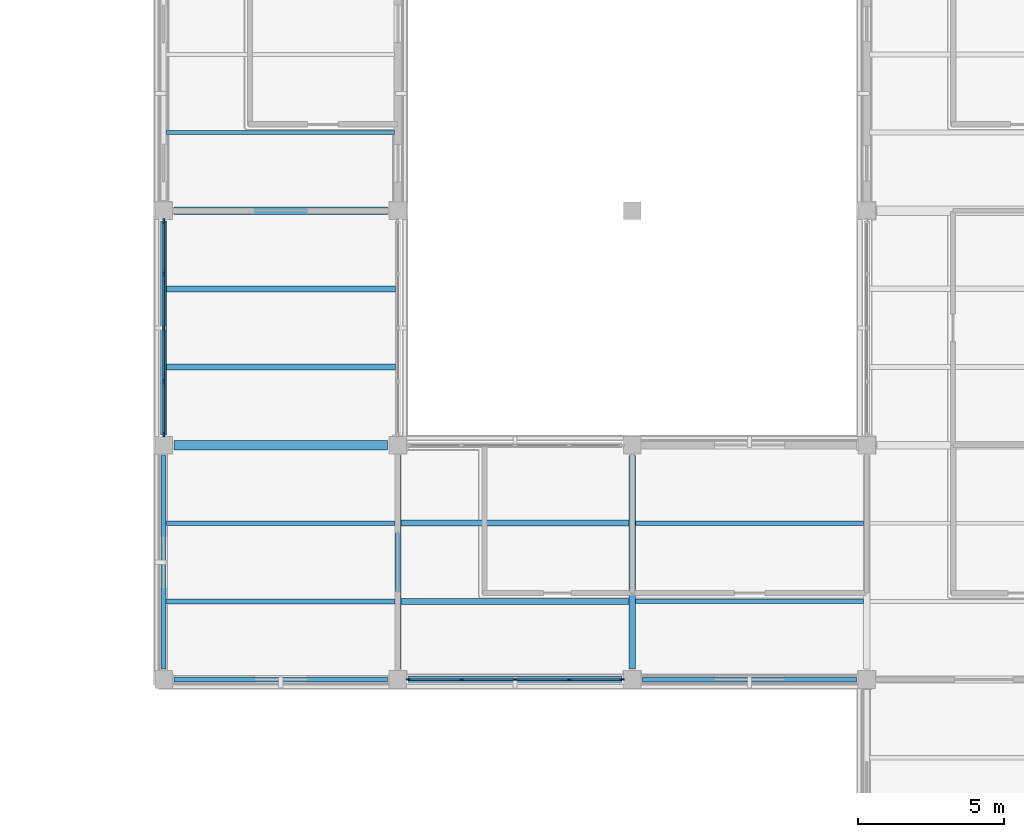
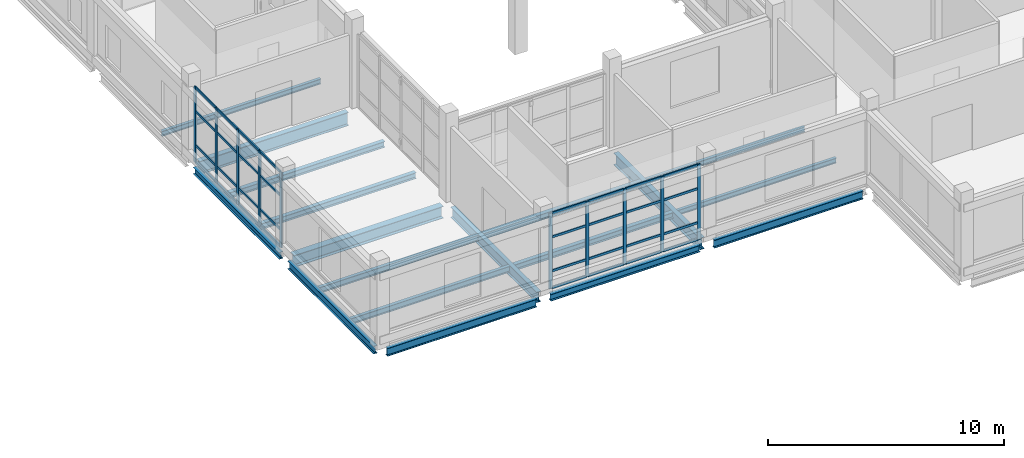
# One storey, part 42 of 121: 42 members, 18 beams, 2 elements without a shape of their own.
"""IFC4 building model written with IfcOpenShell, lengths in metres."""

from ifc_helpers import new_model, si_unit, derived_unit, direction, frame, origin, origin_2d, place, context, subcontext, project, spatial, rectangle, i_section, extrude, material, layer, layer_set, material_profile, profile_set, type_object, element, aggregate, save


model = new_model("IFC4")

# Units and contexts
model_context = context("Model", 3, precision=1e-05, world=origin(), true_north=direction((0.0, 1.0)))
body_context = subcontext(model_context, "Body", "Model", "MODEL_VIEW")
ifc_project = project(units=[si_unit("LENGTHUNIT", "METRE"), si_unit("AREAUNIT", "SQUARE_METRE"), si_unit("VOLUMEUNIT", "CUBIC_METRE"), si_unit("PLANEANGLEUNIT", "RADIAN"), si_unit("MASSUNIT", "GRAM", prefix="KILO"), derived_unit("THERMALTRANSMITTANCEUNIT", [(si_unit("MASSUNIT", "GRAM", prefix="KILO"), 1), (si_unit("TIMEUNIT", "SECOND"), -3), (si_unit("THERMODYNAMICTEMPERATUREUNIT", "KELVIN"), -1)])], contexts=[model_context])

# Site, building, storey
site_placement = place(None, origin())
site = spatial("IfcSite", under=ifc_project, at=site_placement, CompositionType="ELEMENT")
building_placement = place(site_placement, origin())
building = spatial("IfcBuilding", under=site, at=building_placement, Name="Veyamyaing Civic Hall", CompositionType="ELEMENT")
storey_placement = place(building_placement, frame((0.0, 0.0, 5.280029296875)))
storey = spatial("IfcBuildingStorey", under=building, at=storey_placement, Name="L01", CompositionType="ELEMENT", Elevation=5.280029296875)

# Beams
ifc_material_1 = material(Name="Steel ASTM A992", Category="steel")
ifc_material_profile_1 = material_profile(ifc_material_1, i_section(OverallWidth=0.256103515625, OverallDepth=0.693115234375, WebThickness=0.014404296875, FlangeThickness=0.023681640625, FilletRadius=0.013916015625, at=origin_2d()), Name="W690X170")
ifc_profile_set_1 = profile_set([ifc_material_profile_1], Name="Steel ASTM A992")
beam_type_1 = type_object("IfcBeamType", Name="B-04", PredefinedType="BEAM", material=ifc_profile_set_1)
beam_1_placement = place(storey_placement, frame((136.35009765625, 24.0, -0.591552734375), z_axis=(1.0, 0.0, 0.0), x_axis=(0.0, 1.0, 0.0)))
element("IfcBeam", 1, at=beam_1_placement, inside=storey, type_object=beam_type_1, Name="Girder B-04 L01 Grid D 18-19", PredefinedType="BEAM", context=body_context, shape_type="SweptSolid", body=[
    extrude(i_section(OverallWidth=0.256103515625, OverallDepth=0.693115234375, WebThickness=0.014404296875, FlangeThickness=0.023681640625, FilletRadius=0.013916015625, at=origin_2d()), origin(), (0.0, 0.0, 1.0), 7.2998046875),
])
ifc_material_profile_2 = material_profile(ifc_material_1, i_section(OverallWidth=0.22998046875, OverallDepth=0.616943359375, WebThickness=0.01318359375, FlangeThickness=0.022216796875, FilletRadius=0.012939453125, at=origin_2d()), Name="W610X140")
ifc_profile_set_2 = profile_set([ifc_material_profile_2], Name="Steel ASTM A992")
beam_type_2 = type_object("IfcBeamType", Name="B-05", PredefinedType="BEAM", material=ifc_profile_set_2)
beam_2_placement = place(storey_placement, frame((152.0, 8.35009765625, -0.553466796875), z_axis=(0.0, 1.0, 0.0), x_axis=(-1.0, 0.0, 0.0)))
element("IfcBeam", 2, at=beam_2_placement, inside=storey, type_object=beam_type_2, Name="Girder B-05 L01 Grid 20 B-C", PredefinedType="BEAM", context=body_context, shape_type="SweptSolid", body=[
    extrude(i_section(OverallWidth=0.22998046875, OverallDepth=0.616943359375, WebThickness=0.01318359375, FlangeThickness=0.022216796875, FilletRadius=0.012939453125, at=origin_2d()), origin(), (0.0, 0.0, 1.0), 7.2998046875),
])
ifc_material_profile_3 = material_profile(ifc_material_1, i_section(OverallWidth=0.179931640625, OverallDepth=0.4130859375, WebThickness=0.009765625, FlangeThickness=0.01611328125, FilletRadius=0.010009765625, at=origin_2d()), Name="W410X74")
ifc_profile_set_3 = profile_set([ifc_material_profile_3], Name="Steel ASTM A992")
beam_type_3 = type_object("IfcBeamType", Name="B-10", PredefinedType="SPANDREL", material=ifc_profile_set_3)
for number, where, z_axis, x_axis, name in (
    (3, (136.35009765625, 8.0, -0.451416015625), (1.0, 0.0, 0.0), (0.0, 1.0, 0.0), "Girder B-10 L01 Grid B 18-19"),
    (4, (136.0, 8.35009765625, -0.451416015625), (0.0, 1.0, 0.0), (-1.0, 0.0, 0.0), "Girder B-10 L01 Grid 18 B-C"),
):
    element("IfcBeam", number, at=place(storey_placement, frame(where, z_axis=z_axis, x_axis=x_axis)), inside=storey, type_object=beam_type_3, Name=name, PredefinedType="SPANDREL", context=body_context, shape_type="SweptSolid", body=[
        extrude(i_section(OverallWidth=0.179931640625, OverallDepth=0.4130859375, WebThickness=0.009765625, FlangeThickness=0.01611328125, FilletRadius=0.010009765625, at=origin_2d()), origin(), (0.0, 0.0, 1.0), 7.2998046875),
    ])
ifc_material_profile_4 = material_profile(ifc_material_1, i_section(OverallWidth=0.2041015625, OverallDepth=0.35009765625, WebThickness=0.0078125, FlangeThickness=0.01513671875, FilletRadius=0.010009765625, at=origin_2d()), Name="W360X72")
ifc_profile_set_4 = profile_set([ifc_material_profile_4], Name="Steel ASTM A992")
beam_type_4 = type_object("IfcBeamType", Name="B-11", PredefinedType="SPANDREL", material=ifc_profile_set_4)
for number, where, z_axis, x_axis, name in (
    (5, (144.35009765625, 8.0, -0.419921875), (1.0, 0.0, 0.0), (0.0, 1.0, 0.0), "Girder B-11 L01 Grid B 19-20"),
    (6, (136.0, 16.35009765625, -0.419921875), (0.0, 1.0, 0.0), (-1.0, 0.0, 0.0), "Girder B-11 L01 Grid 18 C-D"),
):
    element("IfcBeam", number, at=place(storey_placement, frame(where, z_axis=z_axis, x_axis=x_axis)), inside=storey, type_object=beam_type_4, Name=name, PredefinedType="SPANDREL", context=body_context, shape_type="SweptSolid", body=[
        extrude(i_section(OverallWidth=0.2041015625, OverallDepth=0.35009765625, WebThickness=0.0078125, FlangeThickness=0.01513671875, FilletRadius=0.010009765625, at=origin_2d()), origin(), (0.0, 0.0, 1.0), 7.2998046875),
    ])
ifc_material_profile_5 = material_profile(ifc_material_1, i_section(OverallWidth=0.324951171875, OverallDepth=0.615966796875, WebThickness=0.013916015625, FlangeThickness=0.021484375, FilletRadius=0.013916015625, at=origin_2d()), Name="W610X174")
ifc_profile_set_5 = profile_set([ifc_material_profile_5], Name="Steel ASTM A992")
beam_type_5 = type_object("IfcBeamType", Name="B-15", PredefinedType="BEAM", material=ifc_profile_set_5)
beam_3_placement = place(storey_placement, frame((136.35009765625, 16.0, -0.552978515625), z_axis=(1.0, 0.0, 0.0), x_axis=(0.0, 1.0, 0.0)))
element("IfcBeam", 7, at=beam_3_placement, inside=storey, type_object=beam_type_5, Name="Girder B-15 L01 Grid C 18-19", PredefinedType="BEAM", context=body_context, shape_type="SweptSolid", body=[
    extrude(i_section(OverallWidth=0.324951171875, OverallDepth=0.615966796875, WebThickness=0.013916015625, FlangeThickness=0.021484375, FilletRadius=0.013916015625, at=origin_2d()), origin(), (0.0, 0.0, 1.0), 7.2998046875),
])
ifc_material_profile_6 = material_profile(ifc_material_1, i_section(OverallWidth=0.214111328125, OverallDepth=0.549072265625, WebThickness=0.0146484375, FlangeThickness=0.023681640625, FilletRadius=0.011962890625, at=origin_2d()), Name="W530X138")
ifc_profile_set_6 = profile_set([ifc_material_profile_6], Name="Steel ASTM A992")
beam_type_6 = type_object("IfcBeamType", Name="B-16", PredefinedType="BEAM", material=ifc_profile_set_6)
beam_4_placement = place(storey_placement, frame((144.0, 8.35009765625, -0.51953125), z_axis=(0.0, 1.0, 0.0), x_axis=(-1.0, 0.0, 0.0)))
element("IfcBeam", 8, at=beam_4_placement, inside=storey, type_object=beam_type_6, Name="Girder B-16 L01 Grid 19 B-C", PredefinedType="BEAM", context=body_context, shape_type="SweptSolid", body=[
    extrude(i_section(OverallWidth=0.214111328125, OverallDepth=0.549072265625, WebThickness=0.0146484375, FlangeThickness=0.023681640625, FilletRadius=0.011962890625, at=origin_2d()), origin(), (0.0, 0.0, 1.0), 7.2998046875),
])
ifc_material_profile_7 = material_profile(ifc_material_1, i_section(OverallWidth=0.180908203125, OverallDepth=0.4169921875, WebThickness=0.010986328125, FlangeThickness=0.018310546875, FilletRadius=0.010009765625, at=origin_2d()), Name="W410X85")
ifc_profile_set_7 = profile_set([ifc_material_profile_7], Name="Steel ASTM A992")
beam_type_7 = type_object("IfcBeamType", Name="B-19", PredefinedType="SPANDREL", material=ifc_profile_set_7)
beam_5_placement = place(storey_placement, frame((152.35009765625, 8.0, -0.45361328125), z_axis=(1.0, 0.0, 0.0), x_axis=(0.0, 1.0, 0.0)))
element("IfcBeam", 9, at=beam_5_placement, inside=storey, type_object=beam_type_7, Name="Girder B-19 L01 Grid B 20-21", PredefinedType="SPANDREL", context=body_context, shape_type="SweptSolid", body=[
    extrude(i_section(OverallWidth=0.180908203125, OverallDepth=0.4169921875, WebThickness=0.010986328125, FlangeThickness=0.018310546875, FilletRadius=0.010009765625, at=origin_2d()), origin(), (0.0, 0.0, 1.0), 7.2998046875),
])

# Curtain wall, members
ifc_material_2 = material(Name="Anodised aluminium 6063-T6", Category="aluminium")
ifc_layer = layer(ifc_material_2, 0.159912109375, Name="Anodised aluminium 6063-T6")
ifc_layer_set = layer_set([ifc_layer], Name="Anodised aluminium 6063-T6")
curtain_wall_type = type_object("IfcCurtainWallType", Name="CW-02", PredefinedType="NOTDEFINED", material=ifc_layer_set)
curtain_wall_1_placement = place(storey_placement, origin())
curtain_wall_1 = element("IfcCurtainWall", 10, at=curtain_wall_1_placement, inside=storey, type_object=curtain_wall_type, Name="Unitized curtain wall CW-02 L01 W 18.3", PredefinedType="NOTDEFINED")
ifc_material_profile_8 = material_profile(ifc_material_2, rectangle(XDim=0.06494140625, YDim=0.159912109375, at=origin_2d()), Name="ALU-MUL-65X160")
ifc_profile_set_8 = profile_set([ifc_material_profile_8], Name="Anodised aluminium 6063-T6")
member_type_1 = type_object("IfcMemberType", Name="CWM-01", PredefinedType="MULLION", material=ifc_profile_set_8)
member_1_placement = place(storey_placement, frame((136.0, 16.362548828125, 0.0), z_axis=(0.0, 0.0, 1.0), x_axis=(-1.0, 0.0, 0.0)))
member_1 = element("IfcMember", 11, at=member_1_placement, type_object=member_type_1, Name="CW-02 mullion 1", PredefinedType="MULLION", context=body_context, shape_type="SweptSolid", body=[
    extrude(rectangle(XDim=0.06494140625, YDim=0.159912109375, at=origin_2d()), origin(), (0.0, 0.0, 1.0), 3.909912109375),
])
member_2_placement = place(storey_placement, frame((136.0, 18.1650390625, 0.0), z_axis=(0.0, 0.0, 1.0), x_axis=(-1.0, 0.0, 0.0)))
member_2 = element("IfcMember", 12, at=member_2_placement, type_object=member_type_1, Name="CW-02 mullion 2", PredefinedType="MULLION", context=body_context, shape_type="SweptSolid", body=[
    extrude(rectangle(XDim=0.06494140625, YDim=0.159912109375, at=origin_2d()), origin(), (0.0, 0.0, 1.0), 3.909912109375),
])
member_3_placement = place(storey_placement, frame((136.0, 20.0, 0.0), z_axis=(0.0, 0.0, 1.0), x_axis=(-1.0, 0.0, 0.0)))
member_3 = element("IfcMember", 13, at=member_3_placement, type_object=member_type_1, Name="CW-02 mullion 3", PredefinedType="MULLION", context=body_context, shape_type="SweptSolid", body=[
    extrude(rectangle(XDim=0.06494140625, YDim=0.159912109375, at=origin_2d()), origin(), (0.0, 0.0, 1.0), 3.909912109375),
])
member_4_placement = place(storey_placement, frame((136.0, 21.8349609375, 0.0), z_axis=(0.0, 0.0, 1.0), x_axis=(-1.0, 0.0, 0.0)))
member_4 = element("IfcMember", 14, at=member_4_placement, type_object=member_type_1, Name="CW-02 mullion 4", PredefinedType="MULLION", context=body_context, shape_type="SweptSolid", body=[
    extrude(rectangle(XDim=0.06494140625, YDim=0.159912109375, at=origin_2d()), origin(), (0.0, 0.0, 1.0), 3.909912109375),
])
member_5_placement = place(storey_placement, frame((136.0, 23.637451171875, 0.0), z_axis=(0.0, 0.0, 1.0), x_axis=(-1.0, 0.0, 0.0)))
member_5 = element("IfcMember", 15, at=member_5_placement, type_object=member_type_1, Name="CW-02 mullion 5", PredefinedType="MULLION", context=body_context, shape_type="SweptSolid", body=[
    extrude(rectangle(XDim=0.06494140625, YDim=0.159912109375, at=origin_2d()), origin(), (0.0, 0.0, 1.0), 3.909912109375),
])

curtain_wall_2_placement = place(storey_placement, origin())
curtain_wall_2 = element("IfcCurtainWall", 16, at=curtain_wall_2_placement, inside=storey, type_object=curtain_wall_type, Name="Unitized curtain wall CW-02 L01 S 19.2", PredefinedType="NOTDEFINED")
member_6_placement = place(storey_placement, frame((144.362548828125, 8.0, 0.0), z_axis=(0.0, 0.0, 1.0), x_axis=(0.0, 1.0, 0.0)))
member_6 = element("IfcMember", 17, at=member_6_placement, type_object=member_type_1, Name="CW-02 mullion 1", PredefinedType="MULLION", context=body_context, shape_type="SweptSolid", body=[
    extrude(rectangle(XDim=0.06494140625, YDim=0.159912109375, at=origin_2d()), origin(), (0.0, 0.0, 1.0), 3.909912109375),
])
member_7_placement = place(storey_placement, frame((146.1650390625, 8.0, 0.0), z_axis=(0.0, 0.0, 1.0), x_axis=(0.0, 1.0, 0.0)))
member_7 = element("IfcMember", 18, at=member_7_placement, type_object=member_type_1, Name="CW-02 mullion 2", PredefinedType="MULLION", context=body_context, shape_type="SweptSolid", body=[
    extrude(rectangle(XDim=0.06494140625, YDim=0.159912109375, at=origin_2d()), origin(), (0.0, 0.0, 1.0), 3.909912109375),
])
member_8_placement = place(storey_placement, frame((148.0, 8.0, 0.0), z_axis=(0.0, 0.0, 1.0), x_axis=(0.0, 1.0, 0.0)))
member_8 = element("IfcMember", 19, at=member_8_placement, type_object=member_type_1, Name="CW-02 mullion 3", PredefinedType="MULLION", context=body_context, shape_type="SweptSolid", body=[
    extrude(rectangle(XDim=0.06494140625, YDim=0.159912109375, at=origin_2d()), origin(), (0.0, 0.0, 1.0), 3.909912109375),
])
member_9_placement = place(storey_placement, frame((149.8349609375, 8.0, 0.0), z_axis=(0.0, 0.0, 1.0), x_axis=(0.0, 1.0, 0.0)))
member_9 = element("IfcMember", 20, at=member_9_placement, type_object=member_type_1, Name="CW-02 mullion 4", PredefinedType="MULLION", context=body_context, shape_type="SweptSolid", body=[
    extrude(rectangle(XDim=0.06494140625, YDim=0.159912109375, at=origin_2d()), origin(), (0.0, 0.0, 1.0), 3.909912109375),
])
member_10_placement = place(storey_placement, frame((151.637451171875, 8.0, 0.0), z_axis=(0.0, 0.0, 1.0), x_axis=(0.0, 1.0, 0.0)))
member_10 = element("IfcMember", 21, at=member_10_placement, type_object=member_type_1, Name="CW-02 mullion 5", PredefinedType="MULLION", context=body_context, shape_type="SweptSolid", body=[
    extrude(rectangle(XDim=0.06494140625, YDim=0.159912109375, at=origin_2d()), origin(), (0.0, 0.0, 1.0), 3.909912109375),
])

# Member
ifc_material_profile_9 = material_profile(ifc_material_2, rectangle(XDim=0.06494140625, YDim=0.1201171875, at=origin_2d()), Name="ALU-TRN-65X120")
ifc_profile_set_9 = profile_set([ifc_material_profile_9], Name="Anodised aluminium 6063-T6")
member_type_2 = type_object("IfcMemberType", Name="CWT-01", PredefinedType="USERDEFINED", material=ifc_profile_set_9)
member_11_placement = place(storey_placement, frame((136.0, 16.39501953125, 0.032470703125), z_axis=(0.0, 1.0, 0.0), x_axis=(-1.0, 0.0, 0.0)))
member_11 = element("IfcMember", 22, at=member_11_placement, type_object=member_type_2, Name="CW-02 transom 1.1", ObjectType="TRANSOM", PredefinedType="USERDEFINED", context=body_context, shape_type="SweptSolid", body=[
    extrude(rectangle(XDim=0.06494140625, YDim=0.1201171875, at=origin_2d()), origin(), (0.0, 0.0, 1.0), 1.737548828125),
])

member_12_placement = place(storey_placement, frame((136.0, 16.39501953125, 0.89990234375), z_axis=(0.0, 1.0, 0.0), x_axis=(-1.0, 0.0, 0.0)))
member_12 = element("IfcMember", 23, at=member_12_placement, type_object=member_type_2, Name="CW-02 transom 1.2", ObjectType="TRANSOM", PredefinedType="USERDEFINED", context=body_context, shape_type="SweptSolid", body=[
    extrude(rectangle(XDim=0.06494140625, YDim=0.1201171875, at=origin_2d()), origin(), (0.0, 0.0, 1.0), 1.737548828125),
])

member_13_placement = place(storey_placement, frame((136.0, 16.39501953125, 2.65869140625), z_axis=(0.0, 1.0, 0.0), x_axis=(-1.0, 0.0, 0.0)))
member_13 = element("IfcMember", 24, at=member_13_placement, type_object=member_type_2, Name="CW-02 transom 1.3", ObjectType="TRANSOM", PredefinedType="USERDEFINED", context=body_context, shape_type="SweptSolid", body=[
    extrude(rectangle(XDim=0.06494140625, YDim=0.1201171875, at=origin_2d()), origin(), (0.0, 0.0, 1.0), 1.737548828125),
])

member_14_placement = place(storey_placement, frame((136.0, 16.39501953125, 3.87744140625), z_axis=(0.0, 1.0, 0.0), x_axis=(-1.0, 0.0, 0.0)))
member_14 = element("IfcMember", 25, at=member_14_placement, type_object=member_type_2, Name="CW-02 transom 1.4", ObjectType="TRANSOM", PredefinedType="USERDEFINED", context=body_context, shape_type="SweptSolid", body=[
    extrude(rectangle(XDim=0.06494140625, YDim=0.1201171875, at=origin_2d()), origin(), (0.0, 0.0, 1.0), 1.737548828125),
])

member_15_placement = place(storey_placement, frame((136.0, 18.197509765625, 0.032470703125), z_axis=(0.0, 1.0, 0.0), x_axis=(-1.0, 0.0, 0.0)))
member_15 = element("IfcMember", 26, at=member_15_placement, type_object=member_type_2, Name="CW-02 transom 2.1", ObjectType="TRANSOM", PredefinedType="USERDEFINED", context=body_context, shape_type="SweptSolid", body=[
    extrude(rectangle(XDim=0.06494140625, YDim=0.1201171875, at=origin_2d()), origin(), (0.0, 0.0, 1.0), 1.77001953125),
])

member_16_placement = place(storey_placement, frame((136.0, 18.197509765625, 0.89990234375), z_axis=(0.0, 1.0, 0.0), x_axis=(-1.0, 0.0, 0.0)))
member_16 = element("IfcMember", 27, at=member_16_placement, type_object=member_type_2, Name="CW-02 transom 2.2", ObjectType="TRANSOM", PredefinedType="USERDEFINED", context=body_context, shape_type="SweptSolid", body=[
    extrude(rectangle(XDim=0.06494140625, YDim=0.1201171875, at=origin_2d()), origin(), (0.0, 0.0, 1.0), 1.77001953125),
])

member_17_placement = place(storey_placement, frame((136.0, 18.197509765625, 2.65869140625), z_axis=(0.0, 1.0, 0.0), x_axis=(-1.0, 0.0, 0.0)))
member_17 = element("IfcMember", 28, at=member_17_placement, type_object=member_type_2, Name="CW-02 transom 2.3", ObjectType="TRANSOM", PredefinedType="USERDEFINED", context=body_context, shape_type="SweptSolid", body=[
    extrude(rectangle(XDim=0.06494140625, YDim=0.1201171875, at=origin_2d()), origin(), (0.0, 0.0, 1.0), 1.77001953125),
])

member_18_placement = place(storey_placement, frame((136.0, 18.197509765625, 3.87744140625), z_axis=(0.0, 1.0, 0.0), x_axis=(-1.0, 0.0, 0.0)))
member_18 = element("IfcMember", 29, at=member_18_placement, type_object=member_type_2, Name="CW-02 transom 2.4", ObjectType="TRANSOM", PredefinedType="USERDEFINED", context=body_context, shape_type="SweptSolid", body=[
    extrude(rectangle(XDim=0.06494140625, YDim=0.1201171875, at=origin_2d()), origin(), (0.0, 0.0, 1.0), 1.77001953125),
])

member_19_placement = place(storey_placement, frame((136.0, 20.032470703125, 0.032470703125), z_axis=(0.0, 1.0, 0.0), x_axis=(-1.0, 0.0, 0.0)))
member_19 = element("IfcMember", 30, at=member_19_placement, type_object=member_type_2, Name="CW-02 transom 3.1", ObjectType="TRANSOM", PredefinedType="USERDEFINED", context=body_context, shape_type="SweptSolid", body=[
    extrude(rectangle(XDim=0.06494140625, YDim=0.1201171875, at=origin_2d()), origin(), (0.0, 0.0, 1.0), 1.77001953125),
])

member_20_placement = place(storey_placement, frame((136.0, 20.032470703125, 0.89990234375), z_axis=(0.0, 1.0, 0.0), x_axis=(-1.0, 0.0, 0.0)))
member_20 = element("IfcMember", 31, at=member_20_placement, type_object=member_type_2, Name="CW-02 transom 3.2", ObjectType="TRANSOM", PredefinedType="USERDEFINED", context=body_context, shape_type="SweptSolid", body=[
    extrude(rectangle(XDim=0.06494140625, YDim=0.1201171875, at=origin_2d()), origin(), (0.0, 0.0, 1.0), 1.77001953125),
])

member_21_placement = place(storey_placement, frame((136.0, 20.032470703125, 2.65869140625), z_axis=(0.0, 1.0, 0.0), x_axis=(-1.0, 0.0, 0.0)))
member_21 = element("IfcMember", 32, at=member_21_placement, type_object=member_type_2, Name="CW-02 transom 3.3", ObjectType="TRANSOM", PredefinedType="USERDEFINED", context=body_context, shape_type="SweptSolid", body=[
    extrude(rectangle(XDim=0.06494140625, YDim=0.1201171875, at=origin_2d()), origin(), (0.0, 0.0, 1.0), 1.77001953125),
])

member_22_placement = place(storey_placement, frame((136.0, 20.032470703125, 3.87744140625), z_axis=(0.0, 1.0, 0.0), x_axis=(-1.0, 0.0, 0.0)))
member_22 = element("IfcMember", 33, at=member_22_placement, type_object=member_type_2, Name="CW-02 transom 3.4", ObjectType="TRANSOM", PredefinedType="USERDEFINED", context=body_context, shape_type="SweptSolid", body=[
    extrude(rectangle(XDim=0.06494140625, YDim=0.1201171875, at=origin_2d()), origin(), (0.0, 0.0, 1.0), 1.77001953125),
])

member_23_placement = place(storey_placement, frame((136.0, 21.867431640625, 0.032470703125), z_axis=(0.0, 1.0, 0.0), x_axis=(-1.0, 0.0, 0.0)))
member_23 = element("IfcMember", 34, at=member_23_placement, type_object=member_type_2, Name="CW-02 transom 4.1", ObjectType="TRANSOM", PredefinedType="USERDEFINED", context=body_context, shape_type="SweptSolid", body=[
    extrude(rectangle(XDim=0.06494140625, YDim=0.1201171875, at=origin_2d()), origin(), (0.0, 0.0, 1.0), 1.737548828125),
])

member_24_placement = place(storey_placement, frame((136.0, 21.867431640625, 0.89990234375), z_axis=(0.0, 1.0, 0.0), x_axis=(-1.0, 0.0, 0.0)))
member_24 = element("IfcMember", 35, at=member_24_placement, type_object=member_type_2, Name="CW-02 transom 4.2", ObjectType="TRANSOM", PredefinedType="USERDEFINED", context=body_context, shape_type="SweptSolid", body=[
    extrude(rectangle(XDim=0.06494140625, YDim=0.1201171875, at=origin_2d()), origin(), (0.0, 0.0, 1.0), 1.737548828125),
])

member_25_placement = place(storey_placement, frame((136.0, 21.867431640625, 2.65869140625), z_axis=(0.0, 1.0, 0.0), x_axis=(-1.0, 0.0, 0.0)))
member_25 = element("IfcMember", 36, at=member_25_placement, type_object=member_type_2, Name="CW-02 transom 4.3", ObjectType="TRANSOM", PredefinedType="USERDEFINED", context=body_context, shape_type="SweptSolid", body=[
    extrude(rectangle(XDim=0.06494140625, YDim=0.1201171875, at=origin_2d()), origin(), (0.0, 0.0, 1.0), 1.737548828125),
])

member_26_placement = place(storey_placement, frame((136.0, 21.867431640625, 3.87744140625), z_axis=(0.0, 1.0, 0.0), x_axis=(-1.0, 0.0, 0.0)))
member_26 = element("IfcMember", 37, at=member_26_placement, type_object=member_type_2, Name="CW-02 transom 4.4", ObjectType="TRANSOM", PredefinedType="USERDEFINED", context=body_context, shape_type="SweptSolid", body=[
    extrude(rectangle(XDim=0.06494140625, YDim=0.1201171875, at=origin_2d()), origin(), (0.0, 0.0, 1.0), 1.737548828125),
])

aggregate(curtain_wall_1, [member_1, member_2, member_3, member_4, member_5, member_11, member_12, member_13, member_14, member_15, member_16, member_17, member_18, member_19, member_20, member_21, member_22, member_23, member_24, member_25, member_26])

member_27_placement = place(storey_placement, frame((144.39501953125, 8.0, 0.032470703125), z_axis=(1.0, 0.0, 0.0), x_axis=(0.0, 1.0, 0.0)))
member_27 = element("IfcMember", 38, at=member_27_placement, type_object=member_type_2, Name="CW-02 transom 1.1", ObjectType="TRANSOM", PredefinedType="USERDEFINED", context=body_context, shape_type="SweptSolid", body=[
    extrude(rectangle(XDim=0.06494140625, YDim=0.1201171875, at=origin_2d()), origin(), (0.0, 0.0, 1.0), 1.737548828125),
])

member_28_placement = place(storey_placement, frame((144.39501953125, 8.0, 0.89990234375), z_axis=(1.0, 0.0, 0.0), x_axis=(0.0, 1.0, 0.0)))
member_28 = element("IfcMember", 39, at=member_28_placement, type_object=member_type_2, Name="CW-02 transom 1.2", ObjectType="TRANSOM", PredefinedType="USERDEFINED", context=body_context, shape_type="SweptSolid", body=[
    extrude(rectangle(XDim=0.06494140625, YDim=0.1201171875, at=origin_2d()), origin(), (0.0, 0.0, 1.0), 1.737548828125),
])

member_29_placement = place(storey_placement, frame((144.39501953125, 8.0, 2.65869140625), z_axis=(1.0, 0.0, 0.0), x_axis=(0.0, 1.0, 0.0)))
member_29 = element("IfcMember", 40, at=member_29_placement, type_object=member_type_2, Name="CW-02 transom 1.3", ObjectType="TRANSOM", PredefinedType="USERDEFINED", context=body_context, shape_type="SweptSolid", body=[
    extrude(rectangle(XDim=0.06494140625, YDim=0.1201171875, at=origin_2d()), origin(), (0.0, 0.0, 1.0), 1.737548828125),
])

member_30_placement = place(storey_placement, frame((144.39501953125, 8.0, 3.87744140625), z_axis=(1.0, 0.0, 0.0), x_axis=(0.0, 1.0, 0.0)))
member_30 = element("IfcMember", 41, at=member_30_placement, type_object=member_type_2, Name="CW-02 transom 1.4", ObjectType="TRANSOM", PredefinedType="USERDEFINED", context=body_context, shape_type="SweptSolid", body=[
    extrude(rectangle(XDim=0.06494140625, YDim=0.1201171875, at=origin_2d()), origin(), (0.0, 0.0, 1.0), 1.737548828125),
])

member_31_placement = place(storey_placement, frame((146.197509765625, 8.0, 0.032470703125), z_axis=(1.0, 0.0, 0.0), x_axis=(0.0, 1.0, 0.0)))
member_31 = element("IfcMember", 42, at=member_31_placement, type_object=member_type_2, Name="CW-02 transom 2.1", ObjectType="TRANSOM", PredefinedType="USERDEFINED", context=body_context, shape_type="SweptSolid", body=[
    extrude(rectangle(XDim=0.06494140625, YDim=0.1201171875, at=origin_2d()), origin(), (0.0, 0.0, 1.0), 1.77001953125),
])

member_32_placement = place(storey_placement, frame((146.197509765625, 8.0, 0.89990234375), z_axis=(1.0, 0.0, 0.0), x_axis=(0.0, 1.0, 0.0)))
member_32 = element("IfcMember", 43, at=member_32_placement, type_object=member_type_2, Name="CW-02 transom 2.2", ObjectType="TRANSOM", PredefinedType="USERDEFINED", context=body_context, shape_type="SweptSolid", body=[
    extrude(rectangle(XDim=0.06494140625, YDim=0.1201171875, at=origin_2d()), origin(), (0.0, 0.0, 1.0), 1.77001953125),
])

member_33_placement = place(storey_placement, frame((146.197509765625, 8.0, 2.65869140625), z_axis=(1.0, 0.0, 0.0), x_axis=(0.0, 1.0, 0.0)))
member_33 = element("IfcMember", 44, at=member_33_placement, type_object=member_type_2, Name="CW-02 transom 2.3", ObjectType="TRANSOM", PredefinedType="USERDEFINED", context=body_context, shape_type="SweptSolid", body=[
    extrude(rectangle(XDim=0.06494140625, YDim=0.1201171875, at=origin_2d()), origin(), (0.0, 0.0, 1.0), 1.77001953125),
])

member_34_placement = place(storey_placement, frame((146.197509765625, 8.0, 3.87744140625), z_axis=(1.0, 0.0, 0.0), x_axis=(0.0, 1.0, 0.0)))
member_34 = element("IfcMember", 45, at=member_34_placement, type_object=member_type_2, Name="CW-02 transom 2.4", ObjectType="TRANSOM", PredefinedType="USERDEFINED", context=body_context, shape_type="SweptSolid", body=[
    extrude(rectangle(XDim=0.06494140625, YDim=0.1201171875, at=origin_2d()), origin(), (0.0, 0.0, 1.0), 1.77001953125),
])

member_35_placement = place(storey_placement, frame((148.032470703125, 8.0, 0.032470703125), z_axis=(1.0, 0.0, 0.0), x_axis=(0.0, 1.0, 0.0)))
member_35 = element("IfcMember", 46, at=member_35_placement, type_object=member_type_2, Name="CW-02 transom 3.1", ObjectType="TRANSOM", PredefinedType="USERDEFINED", context=body_context, shape_type="SweptSolid", body=[
    extrude(rectangle(XDim=0.06494140625, YDim=0.1201171875, at=origin_2d()), origin(), (0.0, 0.0, 1.0), 1.77001953125),
])

member_36_placement = place(storey_placement, frame((148.032470703125, 8.0, 0.89990234375), z_axis=(1.0, 0.0, 0.0), x_axis=(0.0, 1.0, 0.0)))
member_36 = element("IfcMember", 47, at=member_36_placement, type_object=member_type_2, Name="CW-02 transom 3.2", ObjectType="TRANSOM", PredefinedType="USERDEFINED", context=body_context, shape_type="SweptSolid", body=[
    extrude(rectangle(XDim=0.06494140625, YDim=0.1201171875, at=origin_2d()), origin(), (0.0, 0.0, 1.0), 1.77001953125),
])

member_37_placement = place(storey_placement, frame((148.032470703125, 8.0, 2.65869140625), z_axis=(1.0, 0.0, 0.0), x_axis=(0.0, 1.0, 0.0)))
member_37 = element("IfcMember", 48, at=member_37_placement, type_object=member_type_2, Name="CW-02 transom 3.3", ObjectType="TRANSOM", PredefinedType="USERDEFINED", context=body_context, shape_type="SweptSolid", body=[
    extrude(rectangle(XDim=0.06494140625, YDim=0.1201171875, at=origin_2d()), origin(), (0.0, 0.0, 1.0), 1.77001953125),
])

member_38_placement = place(storey_placement, frame((148.032470703125, 8.0, 3.87744140625), z_axis=(1.0, 0.0, 0.0), x_axis=(0.0, 1.0, 0.0)))
member_38 = element("IfcMember", 49, at=member_38_placement, type_object=member_type_2, Name="CW-02 transom 3.4", ObjectType="TRANSOM", PredefinedType="USERDEFINED", context=body_context, shape_type="SweptSolid", body=[
    extrude(rectangle(XDim=0.06494140625, YDim=0.1201171875, at=origin_2d()), origin(), (0.0, 0.0, 1.0), 1.77001953125),
])

member_39_placement = place(storey_placement, frame((149.867431640625, 8.0, 0.032470703125), z_axis=(1.0, 0.0, 0.0), x_axis=(0.0, 1.0, 0.0)))
member_39 = element("IfcMember", 50, at=member_39_placement, type_object=member_type_2, Name="CW-02 transom 4.1", ObjectType="TRANSOM", PredefinedType="USERDEFINED", context=body_context, shape_type="SweptSolid", body=[
    extrude(rectangle(XDim=0.06494140625, YDim=0.1201171875, at=origin_2d()), origin(), (0.0, 0.0, 1.0), 1.737548828125),
])

member_40_placement = place(storey_placement, frame((149.867431640625, 8.0, 0.89990234375), z_axis=(1.0, 0.0, 0.0), x_axis=(0.0, 1.0, 0.0)))
member_40 = element("IfcMember", 51, at=member_40_placement, type_object=member_type_2, Name="CW-02 transom 4.2", ObjectType="TRANSOM", PredefinedType="USERDEFINED", context=body_context, shape_type="SweptSolid", body=[
    extrude(rectangle(XDim=0.06494140625, YDim=0.1201171875, at=origin_2d()), origin(), (0.0, 0.0, 1.0), 1.737548828125),
])

member_41_placement = place(storey_placement, frame((149.867431640625, 8.0, 2.65869140625), z_axis=(1.0, 0.0, 0.0), x_axis=(0.0, 1.0, 0.0)))
member_41 = element("IfcMember", 52, at=member_41_placement, type_object=member_type_2, Name="CW-02 transom 4.3", ObjectType="TRANSOM", PredefinedType="USERDEFINED", context=body_context, shape_type="SweptSolid", body=[
    extrude(rectangle(XDim=0.06494140625, YDim=0.1201171875, at=origin_2d()), origin(), (0.0, 0.0, 1.0), 1.737548828125),
])

member_42_placement = place(storey_placement, frame((149.867431640625, 8.0, 3.87744140625), z_axis=(1.0, 0.0, 0.0), x_axis=(0.0, 1.0, 0.0)))
member_42 = element("IfcMember", 53, at=member_42_placement, type_object=member_type_2, Name="CW-02 transom 4.4", ObjectType="TRANSOM", PredefinedType="USERDEFINED", context=body_context, shape_type="SweptSolid", body=[
    extrude(rectangle(XDim=0.06494140625, YDim=0.1201171875, at=origin_2d()), origin(), (0.0, 0.0, 1.0), 1.737548828125),
])

aggregate(curtain_wall_2, [member_6, member_7, member_8, member_9, member_10, member_27, member_28, member_29, member_30, member_31, member_32, member_33, member_34, member_35, member_36, member_37, member_38, member_39, member_40, member_41, member_42])

# Beams
ifc_material_profile_10 = material_profile(ifc_material_1, i_section(OverallWidth=0.1650390625, OverallDepth=0.31005859375, WebThickness=0.005859375, FlangeThickness=0.009765625, FilletRadius=0.010009765625, at=origin_2d()), Name="W310X39")
ifc_profile_set_10 = profile_set([ifc_material_profile_10], Name="Steel ASTM A992")
beam_type_8 = type_object("IfcBeamType", Name="J-05", PredefinedType="JOIST", material=ifc_profile_set_10)
for number, where, z_axis, x_axis, name in (
    (54, (136.087890625, 10.666748046875, -0.400146484375), (1.0, 0.0, 0.0), (0.0, 1.0, 0.0), "Composite floor joist J-05 L01 18.2.1"),
    (55, (136.087890625, 13.333251953125, -0.400146484375), (1.0, 0.0, 0.0), (0.0, 1.0, 0.0), "Composite floor joist J-05 L01 18.2.2"),
):
    element("IfcBeam", number, at=place(storey_placement, frame(where, z_axis=z_axis, x_axis=x_axis)), inside=storey, type_object=beam_type_8, Name=name, PredefinedType="JOIST", context=body_context, shape_type="SweptSolid", body=[
        extrude(i_section(OverallWidth=0.1650390625, OverallDepth=0.31005859375, WebThickness=0.005859375, FlangeThickness=0.009765625, FilletRadius=0.010009765625, at=origin_2d()), origin(), (0.0, 0.0, 1.0), 7.80712890625),
    ])
ifc_material_profile_11 = material_profile(ifc_material_1, i_section(OverallWidth=0.2041015625, OverallDepth=0.305908203125, WebThickness=0.008544921875, FlangeThickness=0.0146484375, FilletRadius=0.010009765625, at=origin_2d()), Name="W310X67")
ifc_profile_set_11 = profile_set([ifc_material_profile_11], Name="Steel ASTM A992")
beam_type_9 = type_object("IfcBeamType", Name="J-06", PredefinedType="JOIST", material=ifc_profile_set_11)
for number, where, z_axis, x_axis, name in (
    (56, (136.10009765625, 18.666748046875, -0.39794921875), (1.0, 0.0, 0.0), (0.0, 1.0, 0.0), "Composite floor joist J-06 L01 18.3.1"),
    (57, (136.10009765625, 21.333251953125, -0.39794921875), (1.0, 0.0, 0.0), (0.0, 1.0, 0.0), "Composite floor joist J-06 L01 18.3.2"),
):
    element("IfcBeam", number, at=place(storey_placement, frame(where, z_axis=z_axis, x_axis=x_axis)), inside=storey, type_object=beam_type_9, Name=name, PredefinedType="JOIST", context=body_context, shape_type="SweptSolid", body=[
        extrude(i_section(OverallWidth=0.2041015625, OverallDepth=0.305908203125, WebThickness=0.008544921875, FlangeThickness=0.0146484375, FilletRadius=0.010009765625, at=origin_2d()), origin(), (0.0, 0.0, 1.0), 7.8115234375),
    ])
for number, where, z_axis, x_axis, name in (
    (58, (144.10498046875, 10.666748046875, -0.39794921875), (1.0, 0.0, 0.0), (0.0, 1.0, 0.0), "Composite floor joist J-06 L01 19.2.1"),
    (59, (144.10498046875, 13.333251953125, -0.39794921875), (1.0, 0.0, 0.0), (0.0, 1.0, 0.0), "Composite floor joist J-06 L01 19.2.2"),
):
    element("IfcBeam", number, at=place(storey_placement, frame(where, z_axis=z_axis, x_axis=x_axis)), inside=storey, type_object=beam_type_9, Name=name, PredefinedType="JOIST", context=body_context, shape_type="SweptSolid", body=[
        extrude(i_section(OverallWidth=0.2041015625, OverallDepth=0.305908203125, WebThickness=0.008544921875, FlangeThickness=0.0146484375, FilletRadius=0.010009765625, at=origin_2d()), origin(), (0.0, 0.0, 1.0), 7.781982421875),
    ])
ifc_material_profile_12 = material_profile(ifc_material_1, i_section(OverallWidth=0.14794921875, OverallDepth=0.26611328125, WebThickness=0.007568359375, FlangeThickness=0.012939453125, FilletRadius=0.010009765625, at=origin_2d()), Name="W250X45")
ifc_profile_set_12 = profile_set([ifc_material_profile_12], Name="Steel ASTM A992")
beam_type_10 = type_object("IfcBeamType", Name="J-07", PredefinedType="JOIST", material=ifc_profile_set_12)
beam_6_placement = place(storey_placement, frame((136.08837890625, 26.666748046875, -0.3779296875), z_axis=(1.0, 0.0, 0.0), x_axis=(0.0, 1.0, 0.0)))
element("IfcBeam", 60, at=beam_6_placement, inside=storey, type_object=beam_type_10, Name="Composite floor joist J-07 L01 18.4.1", PredefinedType="JOIST", context=body_context, shape_type="SweptSolid", body=[
    extrude(i_section(OverallWidth=0.14794921875, OverallDepth=0.26611328125, WebThickness=0.007568359375, FlangeThickness=0.012939453125, FilletRadius=0.010009765625, at=origin_2d()), origin(), (0.0, 0.0, 1.0), 7.78662109375),
])
for number, where, z_axis, x_axis, name in (
    (61, (152.113037109375, 10.666748046875, -0.3779296875), (1.0, 0.0, 0.0), (0.0, 1.0, 0.0), "Composite floor joist J-07 L01 20.2.1"),
    (62, (152.113037109375, 13.333251953125, -0.3779296875), (1.0, 0.0, 0.0), (0.0, 1.0, 0.0), "Composite floor joist J-07 L01 20.2.2"),
):
    element("IfcBeam", number, at=place(storey_placement, frame(where, z_axis=z_axis, x_axis=x_axis)), inside=storey, type_object=beam_type_10, Name=name, PredefinedType="JOIST", context=body_context, shape_type="SweptSolid", body=[
        extrude(i_section(OverallWidth=0.14794921875, OverallDepth=0.26611328125, WebThickness=0.007568359375, FlangeThickness=0.012939453125, FilletRadius=0.010009765625, at=origin_2d()), origin(), (0.0, 0.0, 1.0), 7.77490234375),
    ])

save(model, "model.ifc")
